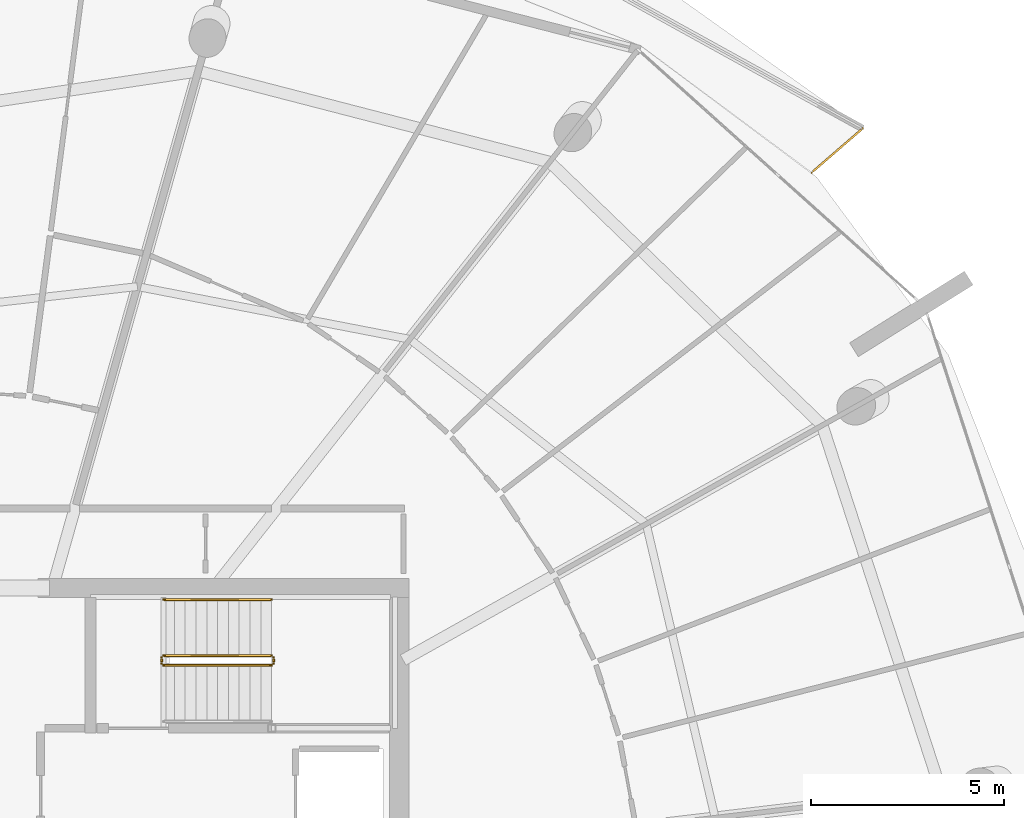
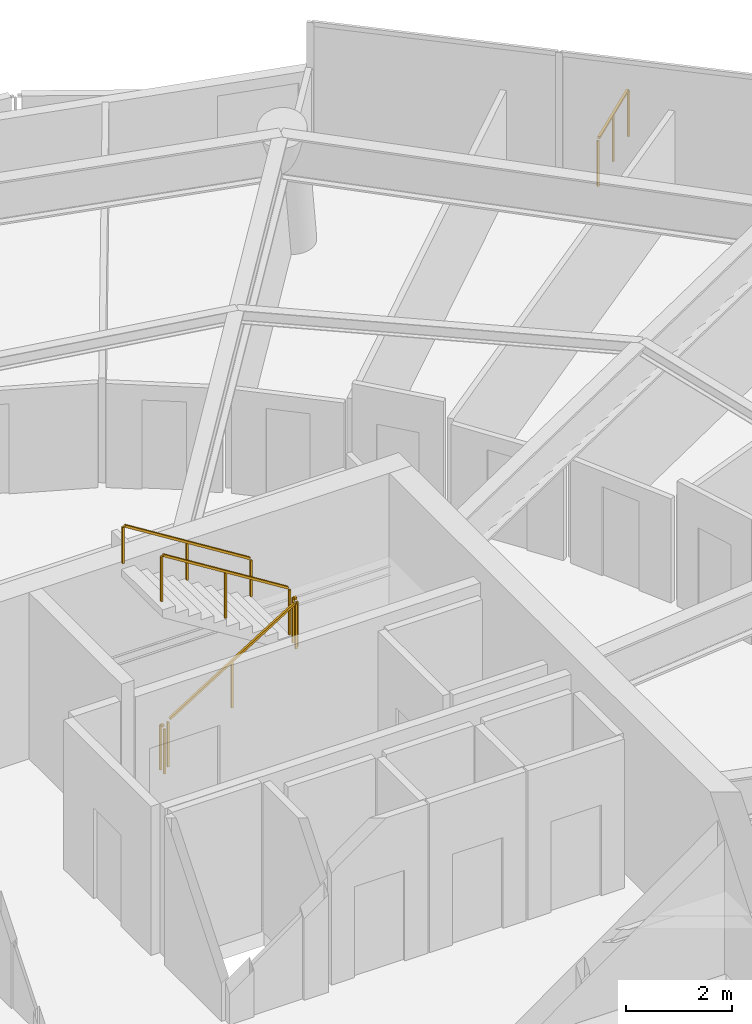
# One storey, part 26 of 27: 6 railings.
"""IFC4 building model written with IfcOpenShell, lengths in metres."""

import ifcopenshell
import ifcopenshell.guid

model = None  # the IFC model being written
_history = None  # IfcOwnerHistory: only IFC2X3 demands one
_inside = {}  # id of a spatial element -> (the spatial element, [elements in it])
_under = {}  # id of a project, library or spatial element -> (it, [spatial elements below it])
_declared = {}  # id of a project -> (the project, [libraries it declares])
_typed = {}  # id of a type object -> (the type object, [elements of that type])
_made_of = {}  # id of a material, layer set ... -> (it, [elements and type objects made of it])


def new_model(schema):
    """Start an empty IFC model of exactly this schema.

    Asked for "IFC4X3", IfcOpenShell would pick the latest addendum, in which some entities
    have other attributes; the version numbers below select the first issue.
    IFC2X3 requires an IfcOwnerHistory on every rooted entity: one is made here for all.
    """
    global model, _history
    if schema == "IFC4X3":
        model = ifcopenshell.file(schema_version=(4, 3, 0, 0))
    else:
        model = ifcopenshell.file(schema=schema)
    _inside.clear()
    _under.clear()
    _declared.clear()
    _typed.clear()
    _made_of.clear()
    _history = None
    if model.schema == "IFC2X3":
        org = make("IfcOrganization", Name="unknown")
        user = make(
            "IfcPersonAndOrganization",
            ThePerson=make("IfcPerson", FamilyName="unknown"),
            TheOrganization=org,
        )
        app = make(
            "IfcApplication",
            ApplicationDeveloper=org,
            Version="unknown",
            ApplicationFullName="unknown",
            ApplicationIdentifier="unknown",
        )
        _history = make(
            "IfcOwnerHistory",
            OwningUser=user,
            OwningApplication=app,
            ChangeAction="ADDED",
            CreationDate=0,
        )
    return model


def make(cls, **values):
    """One entity of the class cls with the attributes given. An attribute that is None is left unset."""
    return model.create_entity(
        cls, **{name: value for name, value in values.items() if value is not None}
    )


def rooted(cls, **values):
    """An entity with a GlobalId (a new one), such as an element, a storey or a relation."""
    return make(cls, GlobalId=ifcopenshell.guid.new(), OwnerHistory=_history, **values)


def si_unit(unit_type, name, prefix=None):
    """IfcSIUnit, for example si_unit("LENGTHUNIT", "METRE", prefix="MILLI")."""
    return make("IfcSIUnit", UnitType=unit_type, Prefix=prefix, Name=name)


def assignment(units):
    """IfcUnitAssignment: the units of a project."""
    return None if units is None else make("IfcUnitAssignment", Units=units)


def point(xyz):
    """IfcCartesianPoint."""
    return None if xyz is None else make("IfcCartesianPoint", Coordinates=xyz)


def direction(xyz):
    """IfcDirection."""
    return None if xyz is None else make("IfcDirection", DirectionRatios=xyz)


def frame(location, z_axis=None, x_axis=None):
    """IfcAxis2Placement3D, a coordinate frame: its origin and axes. An axis left out is left unset."""
    return make(
        "IfcAxis2Placement3D",
        Location=point(location),
        Axis=direction(z_axis),
        RefDirection=direction(x_axis),
    )


def frame_2d(location, x_axis=None):
    """IfcAxis2Placement2D, a coordinate frame in the plane: its origin and x axis."""
    return make(
        "IfcAxis2Placement2D", Location=point(location), RefDirection=direction(x_axis)
    )


def origin():
    """The frame at (0, 0, 0) with its axes left unset."""
    return frame((0.0, 0.0, 0.0))


def origin_2d():
    """The frame at (0, 0) in the plane with its x axis left unset."""
    return frame_2d((0.0, 0.0))


def place(relative_to, where):
    """IfcLocalPlacement: puts the frame where relative to a parent placement (None: the world)."""
    return make(
        "IfcLocalPlacement", PlacementRelTo=relative_to, RelativePlacement=where
    )


def context(
    kind, dimensions, precision=None, world=None, true_north=None, identifier=None
):
    """IfcGeometricRepresentationContext, for example the 3D "Model" context."""
    return make(
        "IfcGeometricRepresentationContext",
        ContextIdentifier=identifier,
        ContextType=kind,
        CoordinateSpaceDimension=dimensions,
        Precision=precision,
        WorldCoordinateSystem=world,
        TrueNorth=true_north,
    )


def subcontext(parent, identifier, kind, view, scale=None):
    """IfcGeometricRepresentationSubContext, for example "Body" below "Model"."""
    return make(
        "IfcGeometricRepresentationSubContext",
        ContextIdentifier=identifier,
        ContextType=kind,
        ParentContext=parent,
        TargetScale=scale,
        TargetView=view,
    )


def project(units=None, contexts=None):
    """IfcProject with its units and contexts."""
    return rooted(
        "IfcProject",
        Name="project",
        RepresentationContexts=contexts,
        UnitsInContext=assignment(units),
    )


def spatial(cls, under=None, at=None, **own):
    """A site, building, storey or space (cls), placed at a placement, below another one or the project."""
    s = rooted(cls, ObjectPlacement=at, **own)
    if under is not None:
        _under.setdefault(under.id(), (under, []))[1].append(s)
    return s


def profile(cls, at=None, kind="AREA", **sizes):
    """A parametric profile (cls). Its sizes go by their IFC names, for example OverallWidth=200.0."""
    return make(cls, ProfileType=kind, Position=at, **sizes)


def rectangle(**sizes):
    """IfcRectangleProfileDef."""
    return profile("IfcRectangleProfileDef", **sizes)


def extrude(swept, where, along, depth):
    """IfcExtrudedAreaSolid: the profile swept, set in the frame where, extruded along a direction by depth."""
    return make(
        "IfcExtrudedAreaSolid",
        SweptArea=swept,
        Position=where,
        ExtrudedDirection=direction(along),
        Depth=depth,
    )


def shape(context_of_items, identifier, shape_type, items):
    """IfcShapeRepresentation: the items that make up one representation, for example the "Body"."""
    return make(
        "IfcShapeRepresentation",
        ContextOfItems=context_of_items,
        RepresentationIdentifier=identifier,
        RepresentationType=shape_type,
        Items=items,
    )


def material(Name=None, Category=None):
    """IfcMaterial."""
    return make("IfcMaterial", Name=Name, Category=Category)


def made_of(thing, what):
    """Note that an element or type object is made of a material, layer set ...; save() writes the relation."""
    if what is not None:
        _made_of.setdefault(what.id(), (what, []))[1].append(thing)
    return thing


def type_object(cls, material=None, **own):
    """A type object (cls), such as IfcWallType, which elements share."""
    return made_of(rooted(cls, **own), material)


def element(
    cls,
    number,
    at=None,
    inside=None,
    cuts=None,
    type_object=None,
    material=None,
    context=None,
    identifier="Body",
    shape_type=None,
    held_by="IfcProductDefinitionShape",
    body=None,
    shapes=None,
    **own,
):
    """One element of the class cls, such as IfcWall. Its Tag is "e" and its number.

    at: its placement. inside: the storey or other place that contains it. cuts: it is an
    opening in that element (IfcRelVoidsElement). A single representation is given by context,
    identifier, shape_type and body (its items); several are given by shapes. held_by: the class
    of the entity that holds the representations. save() writes the other relations.
    """
    e = rooted(cls, Tag="e%d" % number, ObjectPlacement=at, **own)
    if body is not None:
        shapes = [shape(context, identifier, shape_type, body)]
    if shapes is not None:
        e.Representation = make(held_by, Representations=shapes)
    if inside is not None:
        _inside.setdefault(inside.id(), (inside, []))[1].append(e)
    if cuts is not None:
        rooted(
            "IfcRelVoidsElement", RelatingBuildingElement=cuts, RelatedOpeningElement=e
        )
    if type_object is not None:
        _typed.setdefault(type_object.id(), (type_object, []))[1].append(e)
    return made_of(e, material)


def aggregate(whole, parts):
    """IfcRelAggregates: a whole, such as a stair, and the parts it consists of."""
    return rooted("IfcRelAggregates", RelatingObject=whole, RelatedObjects=parts)


def save(model, path):
    """Write the relations noted so far, then the file.

    IfcRelAggregates (storeys below a building ...), IfcRelContainedInSpatialStructure (elements
    in a storey), IfcRelDefinesByType, IfcRelAssociatesMaterial and IfcRelDeclares: one each for
    every whole, place, type object, material and project.
    """
    for whole, parts in _under.values():
        aggregate(whole, parts)
    for where, things in _inside.values():
        rooted(
            "IfcRelContainedInSpatialStructure",
            RelatedElements=things,
            RelatingStructure=where,
        )
    for kind, things in _typed.values():
        rooted("IfcRelDefinesByType", RelatedObjects=things, RelatingType=kind)
    for what, things in _made_of.values():
        rooted("IfcRelAssociatesMaterial", RelatedObjects=things, RelatingMaterial=what)
    for by, libraries in _declared.values():
        rooted("IfcRelDeclares", RelatingContext=by, RelatedDefinitions=libraries)
    model.write(path)


model = new_model("IFC4")

# Units and contexts
model_context = context("Model", 3, precision=1e-05, world=origin(), true_north=direction((0.0, 1.0)))
body_context = subcontext(model_context, "Body", "Model", "MODEL_VIEW")
ifc_project = project(units=[si_unit("LENGTHUNIT", "METRE"), si_unit("AREAUNIT", "SQUARE_METRE"), si_unit("VOLUMEUNIT", "CUBIC_METRE"), si_unit("PLANEANGLEUNIT", "RADIAN"), si_unit("MASSUNIT", "GRAM", prefix="KILO")], contexts=[model_context])

# Site, building, storey
site_placement = place(None, origin())
site = spatial("IfcSite", under=ifc_project, at=site_placement, CompositionType="ELEMENT")
building_placement = place(site_placement, origin())
building = spatial("IfcBuilding", under=site, at=building_placement, Name="Kazma Halo Residences", CompositionType="ELEMENT")
storey_placement = place(building_placement, frame((0.0, 0.0, 306.0)))
storey = spatial("IfcBuildingStorey", under=building, at=storey_placement, Name="L77", CompositionType="ELEMENT", Elevation=306.0)

# Railings
ifc_material_1 = material(Name="Aluminium AW-6063 T6 Brushed Cap Rail", Category="aluminium")
railing_type_1 = type_object("IfcRailingType", Name="RLG-BAL-CAP-1120", PredefinedType="BALUSTRADE", material=ifc_material_1)
railing_1_placement = place(storey_placement, frame((69.9658203125, 60.993896484375, 0.0)))
element("IfcRailing", 1, at=railing_1_placement, inside=storey, type_object=railing_type_1, Name="L77 NE wave balcony guard 1", PredefinedType="BALUSTRADE", context=body_context, shape_type="SweptSolid", body=[
    extrude(rectangle(XDim=0.050048828125, YDim=0.050048828125, at=origin_2d()), frame((0.0322265625, 0.02783203125, 1.09521484375), z_axis=(0.756445466667, 0.654056768147, 0.0), x_axis=(-0.654056768147, 0.756445466667, 0.0)), (0.0, 0.0, 1.0), 1.660400390625),
    extrude(rectangle(XDim=0.0400390625, YDim=0.0400390625, at=origin_2d()), origin(), (0.0, 0.0, 1.0), 1.05810546875),
    extrude(rectangle(XDim=0.0400390625, YDim=0.0400390625, at=origin_2d()), frame((0.66015625, 0.57080078125, 0.0)), (0.0, 0.0, 1.0), 1.05810546875),
    extrude(rectangle(XDim=0.0400390625, YDim=0.0400390625, at=origin_2d()), frame((1.3203125, 1.1416015625, 0.0)), (0.0, 0.0, 1.0), 1.05810546875),
])
ifc_material_2 = material(Name="Painted Steel S355", Category="steel")
railing_type_2 = type_object("IfcRailingType", Name="RLG-STAIR-GRD-1100", PredefinedType="GUARDRAIL", material=ifc_material_2)
railing_2_placement = place(storey_placement, frame((53.199951171875, 48.25, 0.175048828125)))
element("IfcRailing", 2, at=railing_2_placement, inside=storey, type_object=railing_type_2, Name="L77 ST-02 stair guard 1", PredefinedType="GUARDRAIL", context=body_context, shape_type="SweptSolid", body=[
    extrude(rectangle(XDim=0.050048828125, YDim=0.050048828125, at=origin_2d()), frame((0.0361328125, 0.0, 1.09765625), z_axis=(0.848002457836, 0.0, 0.529992293815), x_axis=(0.0, 1.0, 0.0)), (0.0, 0.0, 1.0), 3.216796875),
    extrude(rectangle(XDim=0.0400390625, YDim=0.0400390625, at=origin_2d()), origin(), (0.0, 0.0, 1.0), 1.0380859375),
    extrude(rectangle(XDim=0.0400390625, YDim=0.0400390625, at=origin_2d()), frame((1.39990234375, 0.0, 0.875)), (0.0, 0.0, 1.0), 1.0380859375),
    extrude(rectangle(XDim=0.0400390625, YDim=0.0400390625, at=origin_2d()), frame((2.800048828125, 0.0, 1.75)), (0.0, 0.0, 1.0), 1.0380859375),
])
railing_3_placement = place(storey_placement, frame((56.050048828125, 48.300048828125, 1.925048828125)))
element("IfcRailing", 3, at=railing_3_placement, inside=storey, type_object=railing_type_2, Name="L77 ST-02 stair guard 2", PredefinedType="GUARDRAIL", context=body_context, shape_type="SweptSolid", body=[
    extrude(rectangle(XDim=0.050048828125, YDim=0.050048828125, at=origin_2d()), frame((0.0, 0.04248046875, 1.0751953125), z_axis=(0.0, 1.0, 0.0), x_axis=(-1.0, 0.0, 0.0)), (0.0, 0.0, 1.0), 0.06494140625),
    extrude(rectangle(XDim=0.0400390625, YDim=0.0400390625, at=origin_2d()), origin(), (0.0, 0.0, 1.0), 1.0380859375),
    extrude(rectangle(XDim=0.0400390625, YDim=0.0400390625, at=origin_2d()), frame((0.0, 0.14990234375, 0.0)), (0.0, 0.0, 1.0), 1.0380859375),
])
railing_4_placement = place(storey_placement, frame((56.0, 48.5, 2.10009765625)))
element("IfcRailing", 4, at=railing_4_placement, inside=storey, type_object=railing_type_2, Name="L77 ST-02 stair guard 3", PredefinedType="GUARDRAIL", context=body_context, shape_type="SweptSolid", body=[
    extrude(rectangle(XDim=0.050048828125, YDim=0.050048828125, at=origin_2d()), frame((-0.0361328125, 0.0, 1.09765625), z_axis=(-0.848002457836, 0.0, 0.529992293815), x_axis=(0.0, -1.0, 0.0)), (0.0, 0.0, 1.0), 3.216796875),
    extrude(rectangle(XDim=0.0400390625, YDim=0.0400390625, at=origin_2d()), origin(), (0.0, 0.0, 1.0), 1.0380859375),
    extrude(rectangle(XDim=0.0400390625, YDim=0.0400390625, at=origin_2d()), frame((-1.39990234375, 0.0, 0.875)), (0.0, 0.0, 1.0), 1.0380859375),
    extrude(rectangle(XDim=0.0400390625, YDim=0.0400390625, at=origin_2d()), frame((-2.800048828125, 0.0, 1.75)), (0.0, 0.0, 1.0), 1.0380859375),
])
railing_5_placement = place(storey_placement, frame((53.14990234375, 48.300048828125, 0.0)))
element("IfcRailing", 5, at=railing_5_placement, inside=storey, type_object=railing_type_2, Name="L77 ST-02 stair guard 4", PredefinedType="GUARDRAIL", context=body_context, shape_type="SweptSolid", body=[
    extrude(rectangle(XDim=0.050048828125, YDim=0.050048828125, at=origin_2d()), frame((0.0, 0.04248046875, 1.0751953125), z_axis=(0.0, 1.0, 0.0), x_axis=(-1.0, 0.0, 0.0)), (0.0, 0.0, 1.0), 0.06494140625),
    extrude(rectangle(XDim=0.0400390625, YDim=0.0400390625, at=origin_2d()), origin(), (0.0, 0.0, 1.0), 1.0380859375),
    extrude(rectangle(XDim=0.0400390625, YDim=0.0400390625, at=origin_2d()), frame((0.0, 0.14990234375, 0.0)), (0.0, 0.0, 1.0), 1.0380859375),
])
ifc_material_3 = material(Name="Brushed Stainless Steel", Category="steel")
railing_type_3 = type_object("IfcRailingType", Name="RLG-STAIR-HND-900", PredefinedType="HANDRAIL", material=ifc_material_3)
railing_6_placement = place(storey_placement, frame((56.0, 49.949951171875, 2.10009765625)))
element("IfcRailing", 6, at=railing_6_placement, inside=storey, type_object=railing_type_3, Name="L77 ST-02 stair handrail 2", PredefinedType="HANDRAIL", context=body_context, shape_type="SweptSolid", body=[
    extrude(rectangle(XDim=0.050048828125, YDim=0.050048828125, at=origin_2d()), frame((-0.0361328125, 0.0, 0.8974609375), z_axis=(-0.848002457836, 0.0, 0.529992293815), x_axis=(0.0, -1.0, 0.0)), (0.0, 0.0, 1.0), 3.216796875),
    extrude(rectangle(XDim=0.0400390625, YDim=0.0400390625, at=origin_2d()), origin(), (0.0, 0.0, 1.0), 0.837890625),
    extrude(rectangle(XDim=0.0400390625, YDim=0.0400390625, at=origin_2d()), frame((-1.39990234375, 0.0, 0.875)), (0.0, 0.0, 1.0), 0.837890625),
    extrude(rectangle(XDim=0.0400390625, YDim=0.0400390625, at=origin_2d()), frame((-2.800048828125, 0.0, 1.75)), (0.0, 0.0, 1.0), 0.837890625),
])

save(model, "model.ifc")
